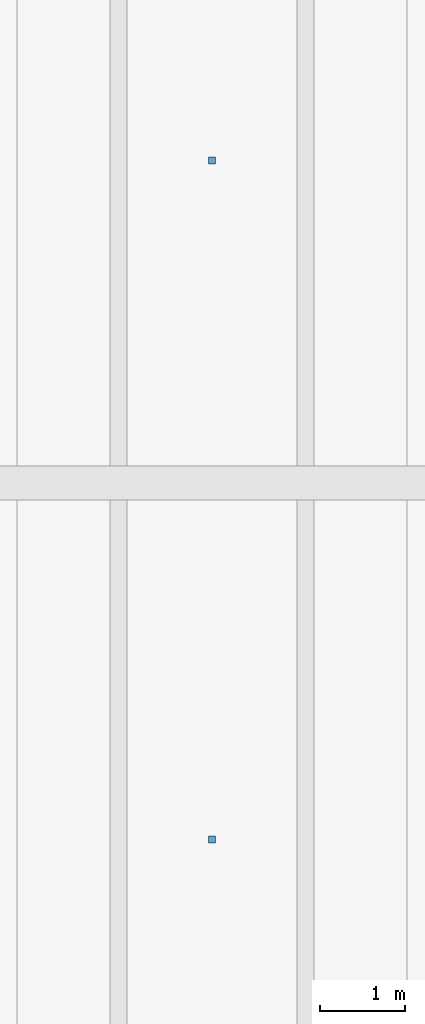
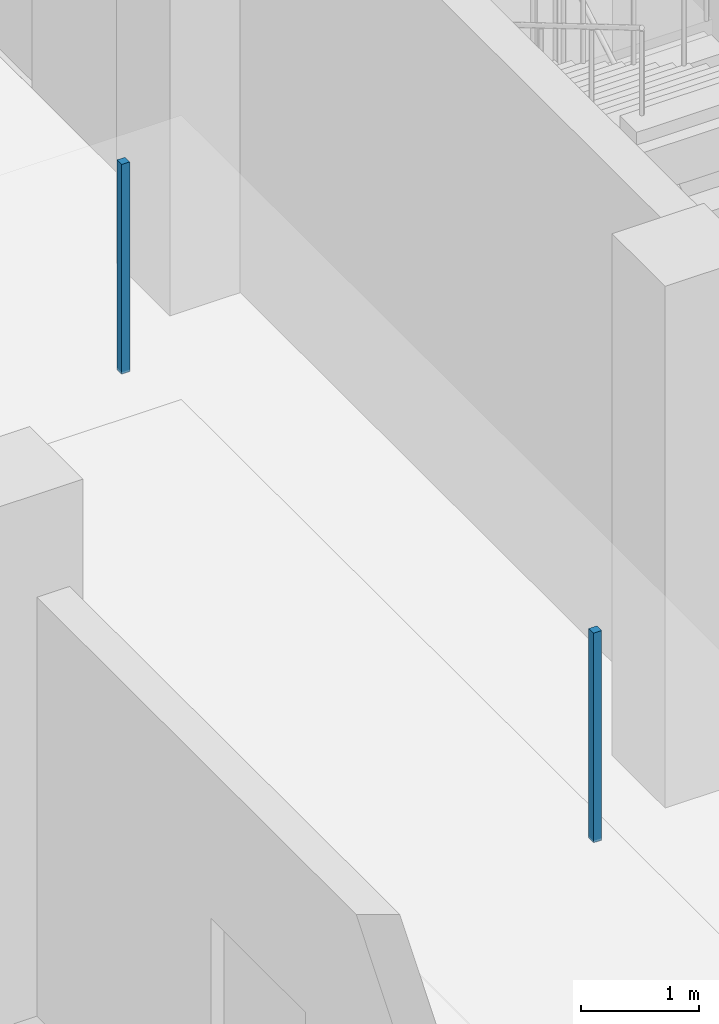
# One storey, part 53 of 64: 2 discrete accessories.
"""IFC4 building model written with IfcOpenShell, lengths in metres."""

from ifc_helpers import new_model, si_unit, direction, frame, origin, origin_2d, place, context, subcontext, project, spatial, rectangle, extrude, material, layer, layer_set, type_object, element, save


model = new_model("IFC4")

# Units and contexts
model_context = context("Model", 3, precision=1e-05, world=origin(), true_north=direction((0.0, 1.0)))
body_context = subcontext(model_context, "Body", "Model", "MODEL_VIEW")
ifc_project = project(units=[si_unit("LENGTHUNIT", "METRE"), si_unit("AREAUNIT", "SQUARE_METRE"), si_unit("VOLUMEUNIT", "CUBIC_METRE"), si_unit("PLANEANGLEUNIT", "RADIAN"), si_unit("MASSUNIT", "GRAM", prefix="KILO")], contexts=[model_context])

# Site, building, storey
site_placement = place(None, origin())
site = spatial("IfcSite", under=ifc_project, at=site_placement, CompositionType="ELEMENT")
building_placement = place(site_placement, origin())
building = spatial("IfcBuilding", under=site, at=building_placement, Name="Qaldarim Faculty of Natural and Applied Sciences", CompositionType="ELEMENT")
storey_placement = place(building_placement, origin())
storey = spatial("IfcBuildingStorey", under=building, at=storey_placement, Name="L00", CompositionType="ELEMENT", Elevation=0.0)

# Discrete accessories
ifc_material = material(Name="Architectural stainless steel 316", Category="steel")
ifc_layer = layer(ifc_material, 0.080078125)
ifc_layer_set = layer_set([ifc_layer], Name="Architectural stainless steel 316")
discrete_accessory_type = type_object("IfcDiscreteAccessoryType", Name="FacadeBracket-SS120", PredefinedType="BRACKET", material=ifc_layer_set)
for number, where, z_axis, x_axis, name in (
    (1, (161.699951171875, 21.0, 2.949951171875), (0.0, 0.0, 1.0), (1.0, 0.0, 0.0), "Ceiling suspension hanger L00 1"),
    (2, (161.699951171875, 29.0, 2.949951171875), (0.0, 0.0, 1.0), (1.0, 0.0, 0.0), "Ceiling suspension hanger L00 2"),
):
    element("IfcDiscreteAccessory", number, at=place(storey_placement, frame(where, z_axis=z_axis, x_axis=x_axis)), inside=storey, type_object=discrete_accessory_type, Name=name, PredefinedType="BRACKET", context=body_context, shape_type="SweptSolid", body=[
        extrude(rectangle(XDim=0.080078125, YDim=0.080078125, at=origin_2d()), origin(), (0.0, 0.0, 1.0), 2.169921875),
    ])

save(model, "model.ifc")
